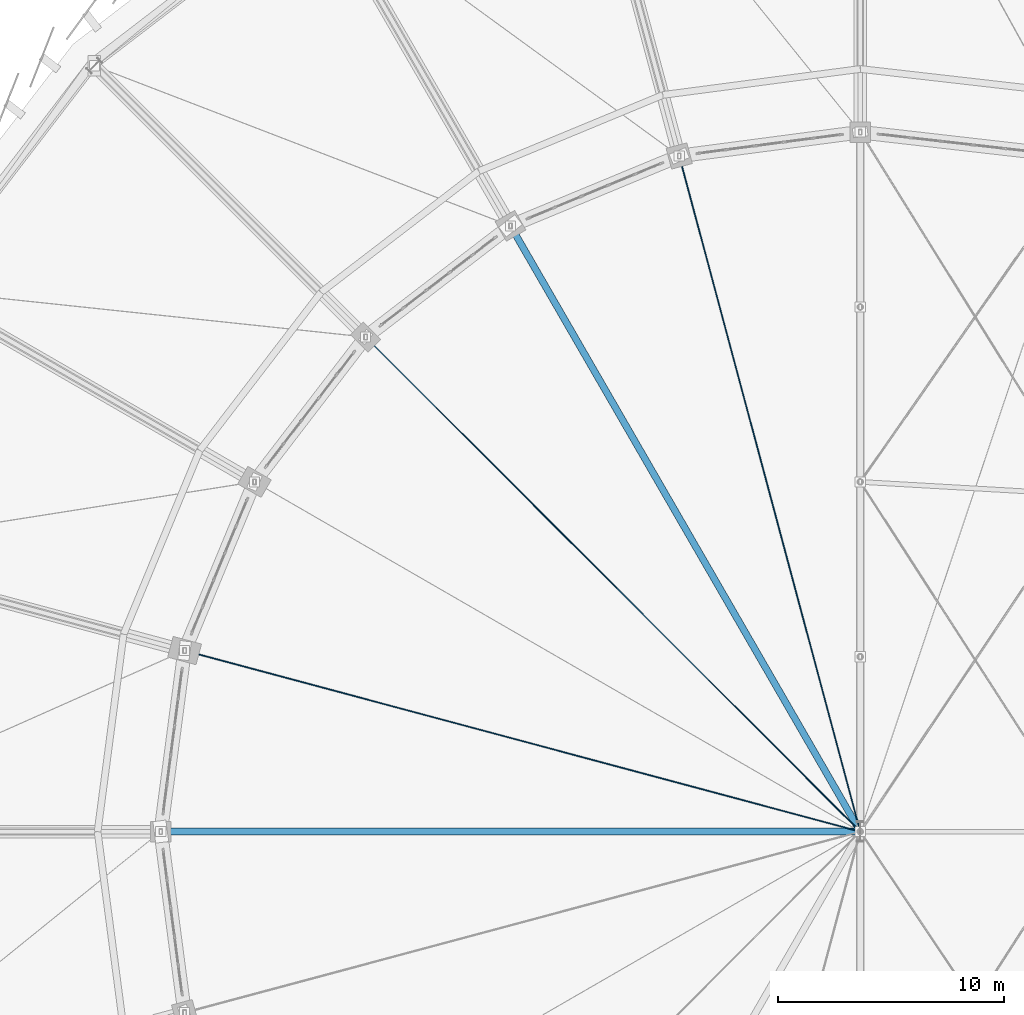
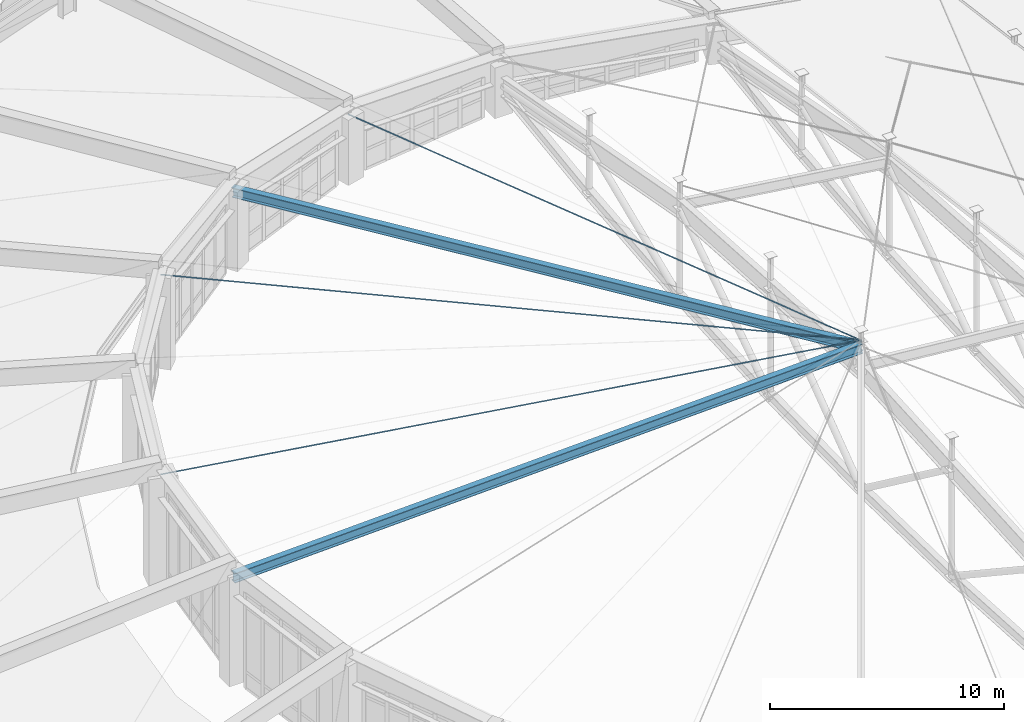
# One storey, part 18 of 68: 3 members, 2 beams.
"""IFC4 building model written with IfcOpenShell, lengths in metres."""

import ifcopenshell
import ifcopenshell.guid

model = None  # the IFC model being written
_history = None  # IfcOwnerHistory: only IFC2X3 demands one
_inside = {}  # id of a spatial element -> (the spatial element, [elements in it])
_under = {}  # id of a project, library or spatial element -> (it, [spatial elements below it])
_declared = {}  # id of a project -> (the project, [libraries it declares])
_typed = {}  # id of a type object -> (the type object, [elements of that type])
_made_of = {}  # id of a material, layer set ... -> (it, [elements and type objects made of it])


def new_model(schema):
    """Start an empty IFC model of exactly this schema.

    Asked for "IFC4X3", IfcOpenShell would pick the latest addendum, in which some entities
    have other attributes; the version numbers below select the first issue.
    IFC2X3 requires an IfcOwnerHistory on every rooted entity: one is made here for all.
    """
    global model, _history
    if schema == "IFC4X3":
        model = ifcopenshell.file(schema_version=(4, 3, 0, 0))
    else:
        model = ifcopenshell.file(schema=schema)
    _inside.clear()
    _under.clear()
    _declared.clear()
    _typed.clear()
    _made_of.clear()
    _history = None
    if model.schema == "IFC2X3":
        org = make("IfcOrganization", Name="unknown")
        user = make(
            "IfcPersonAndOrganization",
            ThePerson=make("IfcPerson", FamilyName="unknown"),
            TheOrganization=org,
        )
        app = make(
            "IfcApplication",
            ApplicationDeveloper=org,
            Version="unknown",
            ApplicationFullName="unknown",
            ApplicationIdentifier="unknown",
        )
        _history = make(
            "IfcOwnerHistory",
            OwningUser=user,
            OwningApplication=app,
            ChangeAction="ADDED",
            CreationDate=0,
        )
    return model


def make(cls, **values):
    """One entity of the class cls with the attributes given. An attribute that is None is left unset."""
    return model.create_entity(
        cls, **{name: value for name, value in values.items() if value is not None}
    )


def rooted(cls, **values):
    """An entity with a GlobalId (a new one), such as an element, a storey or a relation."""
    return make(cls, GlobalId=ifcopenshell.guid.new(), OwnerHistory=_history, **values)


def si_unit(unit_type, name, prefix=None):
    """IfcSIUnit, for example si_unit("LENGTHUNIT", "METRE", prefix="MILLI")."""
    return make("IfcSIUnit", UnitType=unit_type, Prefix=prefix, Name=name)


def assignment(units):
    """IfcUnitAssignment: the units of a project."""
    return None if units is None else make("IfcUnitAssignment", Units=units)


def point(xyz):
    """IfcCartesianPoint."""
    return None if xyz is None else make("IfcCartesianPoint", Coordinates=xyz)


def direction(xyz):
    """IfcDirection."""
    return None if xyz is None else make("IfcDirection", DirectionRatios=xyz)


def frame(location, z_axis=None, x_axis=None):
    """IfcAxis2Placement3D, a coordinate frame: its origin and axes. An axis left out is left unset."""
    return make(
        "IfcAxis2Placement3D",
        Location=point(location),
        Axis=direction(z_axis),
        RefDirection=direction(x_axis),
    )


def frame_2d(location, x_axis=None):
    """IfcAxis2Placement2D, a coordinate frame in the plane: its origin and x axis."""
    return make(
        "IfcAxis2Placement2D", Location=point(location), RefDirection=direction(x_axis)
    )


def origin():
    """The frame at (0, 0, 0) with its axes left unset."""
    return frame((0.0, 0.0, 0.0))


def origin_2d():
    """The frame at (0, 0) in the plane with its x axis left unset."""
    return frame_2d((0.0, 0.0))


def place(relative_to, where):
    """IfcLocalPlacement: puts the frame where relative to a parent placement (None: the world)."""
    return make(
        "IfcLocalPlacement", PlacementRelTo=relative_to, RelativePlacement=where
    )


def context(
    kind, dimensions, precision=None, world=None, true_north=None, identifier=None
):
    """IfcGeometricRepresentationContext, for example the 3D "Model" context."""
    return make(
        "IfcGeometricRepresentationContext",
        ContextIdentifier=identifier,
        ContextType=kind,
        CoordinateSpaceDimension=dimensions,
        Precision=precision,
        WorldCoordinateSystem=world,
        TrueNorth=true_north,
    )


def subcontext(parent, identifier, kind, view, scale=None):
    """IfcGeometricRepresentationSubContext, for example "Body" below "Model"."""
    return make(
        "IfcGeometricRepresentationSubContext",
        ContextIdentifier=identifier,
        ContextType=kind,
        ParentContext=parent,
        TargetScale=scale,
        TargetView=view,
    )


def project(units=None, contexts=None):
    """IfcProject with its units and contexts."""
    return rooted(
        "IfcProject",
        Name="project",
        RepresentationContexts=contexts,
        UnitsInContext=assignment(units),
    )


def spatial(cls, under=None, at=None, **own):
    """A site, building, storey or space (cls), placed at a placement, below another one or the project."""
    s = rooted(cls, ObjectPlacement=at, **own)
    if under is not None:
        _under.setdefault(under.id(), (under, []))[1].append(s)
    return s


def profile(cls, at=None, kind="AREA", **sizes):
    """A parametric profile (cls). Its sizes go by their IFC names, for example OverallWidth=200.0."""
    return make(cls, ProfileType=kind, Position=at, **sizes)


def circle(**sizes):
    """IfcCircleProfileDef."""
    return profile("IfcCircleProfileDef", **sizes)


def i_section(**sizes):
    """IfcIShapeProfileDef."""
    return profile("IfcIShapeProfileDef", **sizes)


def extrude(swept, where, along, depth):
    """IfcExtrudedAreaSolid: the profile swept, set in the frame where, extruded along a direction by depth."""
    return make(
        "IfcExtrudedAreaSolid",
        SweptArea=swept,
        Position=where,
        ExtrudedDirection=direction(along),
        Depth=depth,
    )


def shape(context_of_items, identifier, shape_type, items):
    """IfcShapeRepresentation: the items that make up one representation, for example the "Body"."""
    return make(
        "IfcShapeRepresentation",
        ContextOfItems=context_of_items,
        RepresentationIdentifier=identifier,
        RepresentationType=shape_type,
        Items=items,
    )


def material(Name=None, Category=None):
    """IfcMaterial."""
    return make("IfcMaterial", Name=Name, Category=Category)


def material_profile(
    of_material, cross_section, Name=None, Category=None, Priority=None
):
    """IfcMaterialProfile: a cross section and its material."""
    return make(
        "IfcMaterialProfile",
        Name=Name,
        Material=of_material,
        Profile=cross_section,
        Priority=Priority,
        Category=Category,
    )


def profile_set(profiles, Name=None, composite=None):
    """IfcMaterialProfileSet."""
    return make(
        "IfcMaterialProfileSet",
        Name=Name,
        MaterialProfiles=profiles,
        CompositeProfile=composite,
    )


def made_of(thing, what):
    """Note that an element or type object is made of a material, layer set ...; save() writes the relation."""
    if what is not None:
        _made_of.setdefault(what.id(), (what, []))[1].append(thing)
    return thing


def type_object(cls, material=None, **own):
    """A type object (cls), such as IfcWallType, which elements share."""
    return made_of(rooted(cls, **own), material)


def element(
    cls,
    number,
    at=None,
    inside=None,
    cuts=None,
    type_object=None,
    material=None,
    context=None,
    identifier="Body",
    shape_type=None,
    held_by="IfcProductDefinitionShape",
    body=None,
    shapes=None,
    **own,
):
    """One element of the class cls, such as IfcWall. Its Tag is "e" and its number.

    at: its placement. inside: the storey or other place that contains it. cuts: it is an
    opening in that element (IfcRelVoidsElement). A single representation is given by context,
    identifier, shape_type and body (its items); several are given by shapes. held_by: the class
    of the entity that holds the representations. save() writes the other relations.
    """
    e = rooted(cls, Tag="e%d" % number, ObjectPlacement=at, **own)
    if body is not None:
        shapes = [shape(context, identifier, shape_type, body)]
    if shapes is not None:
        e.Representation = make(held_by, Representations=shapes)
    if inside is not None:
        _inside.setdefault(inside.id(), (inside, []))[1].append(e)
    if cuts is not None:
        rooted(
            "IfcRelVoidsElement", RelatingBuildingElement=cuts, RelatedOpeningElement=e
        )
    if type_object is not None:
        _typed.setdefault(type_object.id(), (type_object, []))[1].append(e)
    return made_of(e, material)


def aggregate(whole, parts):
    """IfcRelAggregates: a whole, such as a stair, and the parts it consists of."""
    return rooted("IfcRelAggregates", RelatingObject=whole, RelatedObjects=parts)


def save(model, path):
    """Write the relations noted so far, then the file.

    IfcRelAggregates (storeys below a building ...), IfcRelContainedInSpatialStructure (elements
    in a storey), IfcRelDefinesByType, IfcRelAssociatesMaterial and IfcRelDeclares: one each for
    every whole, place, type object, material and project.
    """
    for whole, parts in _under.values():
        aggregate(whole, parts)
    for where, things in _inside.values():
        rooted(
            "IfcRelContainedInSpatialStructure",
            RelatedElements=things,
            RelatingStructure=where,
        )
    for kind, things in _typed.values():
        rooted("IfcRelDefinesByType", RelatedObjects=things, RelatingType=kind)
    for what, things in _made_of.values():
        rooted("IfcRelAssociatesMaterial", RelatedObjects=things, RelatingMaterial=what)
    for by, libraries in _declared.values():
        rooted("IfcRelDeclares", RelatingContext=by, RelatedDefinitions=libraries)
    model.write(path)


model = new_model("IFC4")

# Units and contexts
model_context = context("Model", 3, precision=1e-05, world=origin(), true_north=direction((0.0, 1.0)))
body_context = subcontext(model_context, "Body", "Model", "MODEL_VIEW")
ifc_project = project(units=[si_unit("LENGTHUNIT", "METRE"), si_unit("AREAUNIT", "SQUARE_METRE"), si_unit("VOLUMEUNIT", "CUBIC_METRE"), si_unit("PLANEANGLEUNIT", "RADIAN"), si_unit("MASSUNIT", "GRAM", prefix="KILO")], contexts=[model_context])

# Site, building, storey
site_placement = place(None, origin())
site = spatial("IfcSite", under=ifc_project, at=site_placement, CompositionType="ELEMENT")
building_placement = place(site_placement, origin())
building = spatial("IfcBuilding", under=site, at=building_placement, Name="Sohan Crest Arena", CompositionType="ELEMENT")
storey_placement = place(building_placement, frame((0.0, 0.0, 27.0)))
storey = spatial("IfcBuildingStorey", under=building, at=storey_placement, Name="RF", CompositionType="ELEMENT", Elevation=27.0)

# Beams
ifc_material_1 = material(Name="Steel S355", Category="steel")
ifc_material_profile_1 = material_profile(ifc_material_1, i_section(OverallWidth=0.300048828125, OverallDepth=0.5, WebThickness=0.014404296875, FlangeThickness=0.028076171875, at=origin_2d()), Name="HEB 500")
ifc_profile_set_1 = profile_set([ifc_material_profile_1], Name="Steel S355")
beam_type = type_object("IfcBeamType", Name="STR-BM-B14", PredefinedType="BEAM", material=ifc_profile_set_1)
beam_1_placement = place(storey_placement, frame((82.5, 104.846923828125, 3.76806640625), z_axis=(0.498113801324, -0.862762792379, 0.086735258216), x_axis=(0.866026503059, 0.499998095996, 0.0)))
element("IfcBeam", 1, at=beam_1_placement, inside=storey, type_object=beam_type, Name="Structural beam RP-RF-3167", PredefinedType="BEAM", context=body_context, shape_type="SweptSolid", body=[
    extrude(i_section(OverallWidth=0.300048828125, OverallDepth=0.5, WebThickness=0.014404296875, FlangeThickness=0.028076171875, at=origin_2d()), origin(), (0.0, 0.0, 1.0), 31.117431640625),
])
beam_2_placement = place(storey_placement, frame((67.0, 78.0, 5.326904296875), z_axis=(0.999324352517, 0.0, 0.03675375446), x_axis=(0.0, 1.0, 0.0)))
element("IfcBeam", 2, at=beam_2_placement, inside=storey, type_object=beam_type, Name="Structural beam RP-RF-3168", PredefinedType="BEAM", context=body_context, shape_type="SweptSolid", body=[
    extrude(i_section(OverallWidth=0.300048828125, OverallDepth=0.5, WebThickness=0.014404296875, FlangeThickness=0.028076171875, at=origin_2d()), origin(), (0.0, 0.0, 1.0), 31.02099609375),
])

# Members
ifc_material_2 = material(Name="Steel S460", Category="steel")
ifc_material_profile_2 = material_profile(ifc_material_2, circle(Radius=0.02197265625, at=origin_2d()), Name="FLC D44")
ifc_profile_set_2 = profile_set([ifc_material_profile_2], Name="Steel S460")
member_type = type_object("IfcMemberType", Name="STR-MEM-CB03", PredefinedType="USERDEFINED", material=ifc_profile_set_2)
member_1_placement = place(storey_placement, frame((89.97705078125, 107.944091796875, 3.258056640625), z_axis=(0.257113893588, -0.959627416542, 0.11405116021), x_axis=(0.965930229308, 0.258802612254, 0.0)))
element("IfcMember", 3, at=member_1_placement, inside=storey, type_object=member_type, Name="West prow radial locked-coil cable CB-057", ObjectType="CABLE", PredefinedType="USERDEFINED", context=body_context, shape_type="SweptSolid", body=[
    extrude(circle(Radius=0.02197265625, at=origin_2d()), origin(), (0.0, 0.0, 1.0), 31.203857421875),
])
member_2_placement = place(storey_placement, frame((76.080078125, 99.919921875, 4.626953125), z_axis=(0.705348897462, -0.705348897462, 0.070468898804), x_axis=(0.707106781187, 0.707106781187, 0.0)))
element("IfcMember", 4, at=member_2_placement, inside=storey, type_object=member_type, Name="West prow radial locked-coil cable CB-058", ObjectType="CABLE", PredefinedType="USERDEFINED", context=body_context, shape_type="SweptSolid", body=[
    extrude(circle(Radius=0.02197265625, at=origin_2d()), origin(), (0.0, 0.0, 1.0), 31.07666015625),
])
member_3_placement = place(storey_placement, frame((68.055908203125, 86.02294921875, 5.43896484375), z_axis=(0.964977441584, -0.258547330926, 0.044405122505), x_axis=(0.258802612254, 0.965930229308, 0.0)))
element("IfcMember", 5, at=member_3_placement, inside=storey, type_object=member_type, Name="West prow radial locked-coil cable CB-059", ObjectType="CABLE", PredefinedType="USERDEFINED", context=body_context, shape_type="SweptSolid", body=[
    extrude(circle(Radius=0.02197265625, at=origin_2d()), origin(), (0.0, 0.0, 1.0), 31.03076171875),
])

save(model, "model.ifc")
